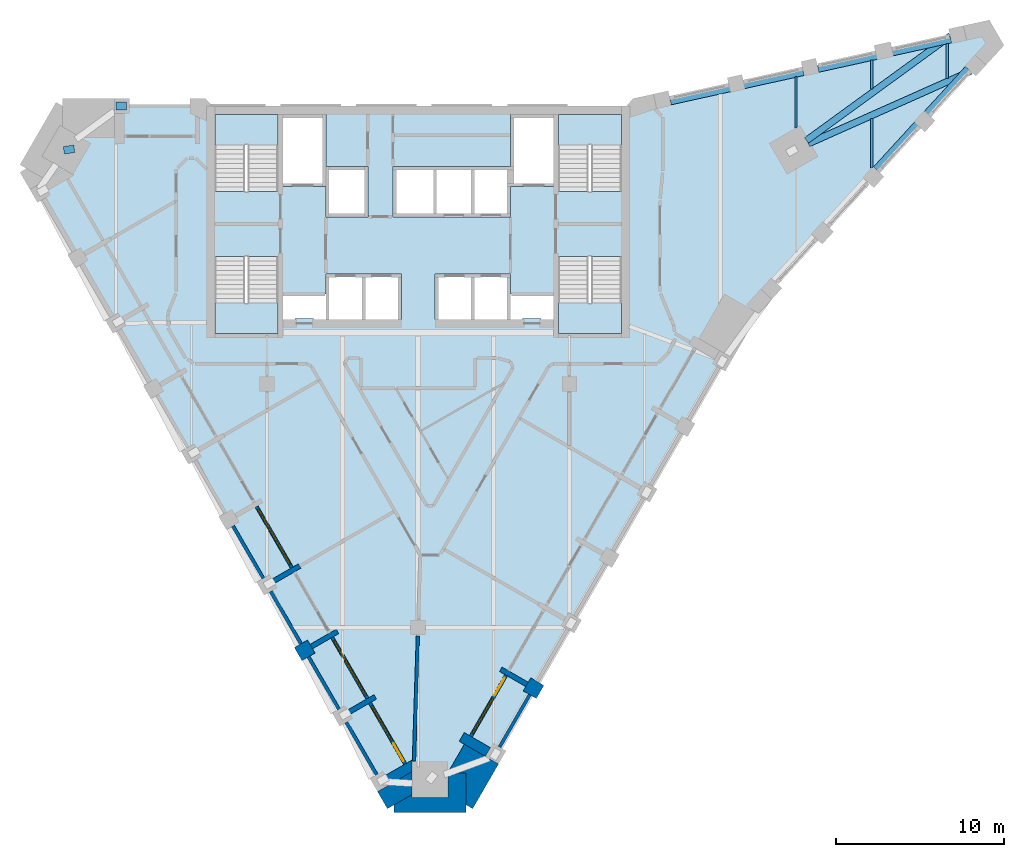
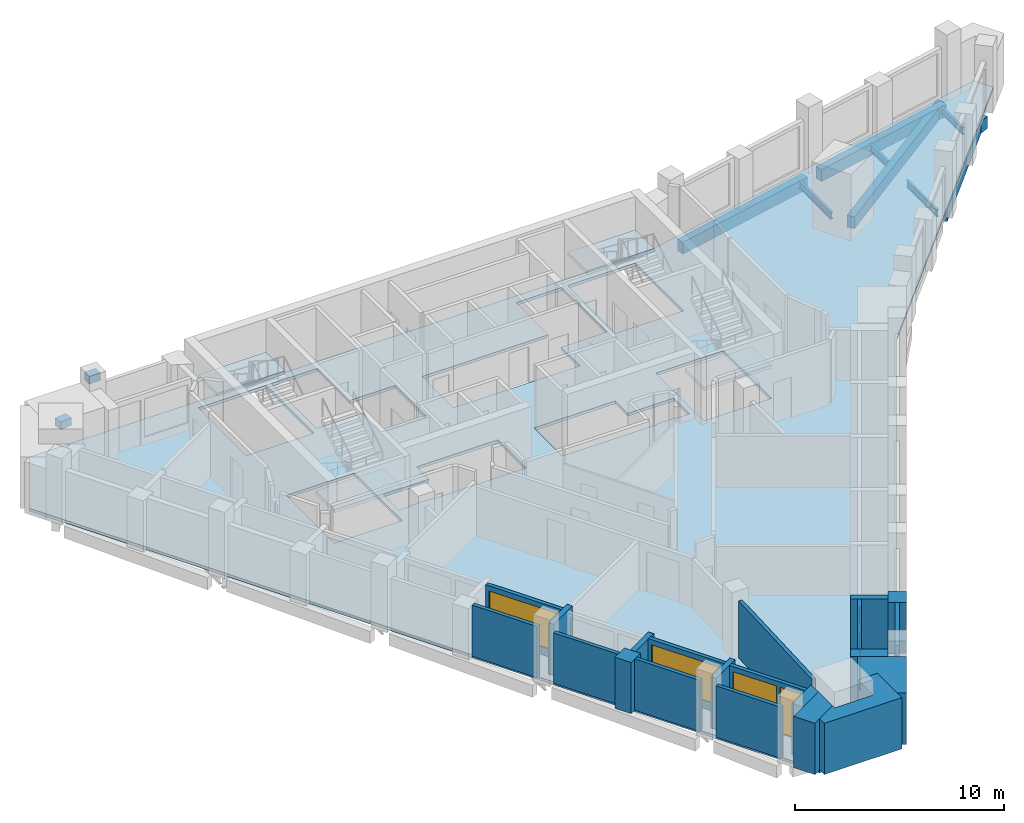
# One storey, part 2 of 9: 21 walls, 11 beams, 5 slabs, 4 windows, 2 doors, 6 openings, 4 elements without a shape of their own.
"""IFC4 building model written with IfcOpenShell, lengths in metres."""

from ifc_helpers import new_model, si_unit, direction, frame, frame_2d, origin, origin_2d, place, context, subcontext, project, spatial, polyline, rectangle, i_section, outline, extrude, material, layer, layer_set, material_profile, profile_set, type_object, element, fill, aggregate, save


model = new_model("IFC4")

# Units and contexts
model_context = context("Model", 3, precision=1e-05, world=origin(), true_north=direction((0.0, 1.0)))
body_context = subcontext(model_context, "Body", "Model", "MODEL_VIEW")
ifc_project = project(units=[si_unit("LENGTHUNIT", "METRE"), si_unit("AREAUNIT", "SQUARE_METRE"), si_unit("VOLUMEUNIT", "CUBIC_METRE"), si_unit("PLANEANGLEUNIT", "RADIAN"), si_unit("MASSUNIT", "GRAM", prefix="KILO")], contexts=[model_context])

# Site, building, storey
site_placement = place(None, origin())
site = spatial("IfcSite", under=ifc_project, at=site_placement, CompositionType="ELEMENT")
building_placement = place(site_placement, origin())
building = spatial("IfcBuilding", under=site, at=building_placement, Name="Calabash Gate Tower", CompositionType="ELEMENT")
storey_placement = place(building_placement, frame((0.0, 0.0, 283.300048828125)))
storey = spatial("IfcBuildingStorey", under=building, at=storey_placement, Name="L68", CompositionType="ELEMENT", Elevation=283.300048828125)

# Beams
ifc_material_1 = material(Name="Concrete C80/95", Category="concrete")
ifc_material_profile_1 = material_profile(ifc_material_1, rectangle(XDim=0.449951171875, YDim=0.449951171875, at=origin_2d()))
ifc_profile_set_1 = profile_set([ifc_material_profile_1], Name="Concrete C80/95")
beam_type_1 = type_object("IfcBeamType", Name="Column offset link RC 450x450 Concrete C80/95", PredefinedType="BEAM", material=ifc_profile_set_1)
beam_1_placement = place(storey_placement, frame((-21.10009765625, 16.4169921875, 3.50390625), z_axis=(0.989739311723, 0.142884900636, 0.0), x_axis=(-0.142884900636, 0.989739311723, 0.0)))
element("IfcBeam", 1, at=beam_1_placement, inside=storey, type_object=beam_type_1, Name="Column offset link L68 NW", PredefinedType="BEAM", context=body_context, shape_type="SweptSolid", body=[
    extrude(rectangle(XDim=0.449951171875, YDim=0.449951171875, at=origin_2d()), origin(), (0.0, 0.0, 1.0), 0.63037109375),
])
beam_2_placement = place(storey_placement, frame((-17.99609375, 19.052978515625, 3.50390625), z_axis=(1.0, 0.0, 0.0), x_axis=(0.0, 1.0, 0.0)))
element("IfcBeam", 2, at=beam_2_placement, inside=storey, type_object=beam_type_1, Name="Column offset link L68 P31", PredefinedType="BEAM", context=body_context, shape_type="SweptSolid", body=[
    extrude(rectangle(XDim=0.449951171875, YDim=0.449951171875, at=origin_2d()), origin(), (0.0, 0.0, 1.0), 0.630126953125),
])
ifc_material_2 = material(Name="Concrete C50/60", Category="concrete")
ifc_material_profile_2 = material_profile(ifc_material_2, rectangle(XDim=0.39990234375, YDim=0.699951171875, at=origin_2d()))
ifc_profile_set_2 = profile_set([ifc_material_profile_2], Name="Concrete C50/60")
beam_type_2 = type_object("IfcBeamType", Name="Edge beam RC 400x700 Concrete C50/60", PredefinedType="BEAM", material=ifc_profile_set_2)
beam_3_placement = place(storey_placement, frame((27.260009765625, 15.29296875, -0.52001953125), z_axis=(0.67486440312, 0.737941757459, 0.0), x_axis=(-0.737941757459, 0.67486440312, 0.0)))
element("IfcBeam", 3, at=beam_3_placement, inside=storey, type_object=beam_type_2, Name="Edge beam L68 11", PredefinedType="BEAM", context=body_context, shape_type="SweptSolid", body=[
    extrude(rectangle(XDim=0.39990234375, YDim=0.699951171875, at=origin_2d()), origin(), (0.0, 0.0, 1.0), 8.100830078125),
])
beam_4_placement = place(storey_placement, frame((32.90087890625, 21.1259765625, -0.52001953125), z_axis=(-0.913459431006, -0.406929807099, 0.0), x_axis=(0.406929807099, -0.913459431006, 0.0)))
element("IfcBeam", 4, at=beam_4_placement, inside=storey, type_object=beam_type_2, Name="Edge beam L68 12", PredefinedType="BEAM", context=body_context, shape_type="SweptSolid", body=[
    extrude(rectangle(XDim=0.39990234375, YDim=0.699951171875, at=origin_2d()), origin(), (0.0, 0.0, 1.0), 10.58935546875),
])
beam_5_placement = place(storey_placement, frame((23.123046875, 16.9990234375, -0.52001953125), z_axis=(0.808643536425, 0.588298929965, 0.0), x_axis=(-0.588298929965, 0.808643536425, 0.0)))
element("IfcBeam", 5, at=beam_5_placement, inside=storey, type_object=beam_type_2, Name="Edge beam L68 13", PredefinedType="BEAM", context=body_context, shape_type="SweptSolid", body=[
    extrude(rectangle(XDim=0.39990234375, YDim=0.699951171875, at=origin_2d()), origin(), (0.0, 0.0, 1.0), 10.610107421875),
])
beam_6_placement = place(storey_placement, frame((31.72705078125, 23.006103515625, -0.52001953125), z_axis=(-0.976492437334, -0.215551663945, 0.0), x_axis=(0.215551663945, -0.976492437334, 0.0)))
element("IfcBeam", 6, at=beam_6_placement, inside=storey, type_object=beam_type_2, Name="Edge beam L68 14", PredefinedType="BEAM", context=body_context, shape_type="SweptSolid", body=[
    extrude(rectangle(XDim=0.39990234375, YDim=0.699951171875, at=origin_2d()), origin(), (0.0, 0.0, 1.0), 8.1005859375),
])
beam_7_placement = place(storey_placement, frame((22.93603515625, 21.06591796875, -0.52001953125), z_axis=(-0.976517152373, -0.215439669332, 0.0), x_axis=(0.215439669332, -0.976517152373, 0.0)))
element("IfcBeam", 7, at=beam_7_placement, inside=storey, type_object=beam_type_2, Name="Edge beam L68 15", PredefinedType="BEAM", context=body_context, shape_type="SweptSolid", body=[
    extrude(rectangle(XDim=0.39990234375, YDim=0.699951171875, at=origin_2d()), origin(), (0.0, 0.0, 1.0), 8.09912109375),
])
ifc_material_3 = material(Name="Steel ASTM A992 Gr50", Category="steel")
ifc_material_profile_3 = material_profile(ifc_material_3, i_section(OverallWidth=0.1396484375, OverallDepth=0.398681640625, WebThickness=0.00634765625, FlangeThickness=0.0087890625, FilletRadius=0.01025390625, at=origin_2d()))
ifc_profile_set_3 = profile_set([ifc_material_profile_3], Name="Steel ASTM A992 Gr50")
beam_type_3 = type_object("IfcBeamType", Name="Floor beam W16x26 ASTM A992 Gr50", PredefinedType="BEAM", material=ifc_profile_set_3)
beam_8_placement = place(storey_placement, frame((22.5, 17.73193359375, -0.369140625), z_axis=(0.0, 1.0, 0.0), x_axis=(-1.0, 0.0, 0.0)))
element("IfcBeam", 8, at=beam_8_placement, inside=storey, type_object=beam_type_3, Name="Floor beam L68 16", PredefinedType="BEAM", context=body_context, shape_type="SweptSolid", body=[
    extrude(i_section(OverallWidth=0.1396484375, OverallDepth=0.398681640625, WebThickness=0.00634765625, FlangeThickness=0.0087890625, FilletRadius=0.01025390625, at=origin_2d()), origin(), (0.0, 0.0, 1.0), 3.065185546875),
])
beam_9_placement = place(storey_placement, frame((27.0, 15.35693359375, -0.369140625), z_axis=(0.0, 1.0, 0.0), x_axis=(-1.0, 0.0, 0.0)))
element("IfcBeam", 9, at=beam_9_placement, inside=storey, type_object=beam_type_3, Name="Floor beam L68 17", PredefinedType="BEAM", context=body_context, shape_type="SweptSolid", body=[
    extrude(i_section(OverallWidth=0.1396484375, OverallDepth=0.398681640625, WebThickness=0.00634765625, FlangeThickness=0.0087890625, FilletRadius=0.01025390625, at=origin_2d()), origin(), (0.0, 0.0, 1.0), 2.943115234375),
])
beam_10_placement = place(storey_placement, frame((27.0, 20.053955078125, -0.369140625), z_axis=(0.0, 1.0, 0.0), x_axis=(-1.0, 0.0, 0.0)))
element("IfcBeam", 10, at=beam_10_placement, inside=storey, type_object=beam_type_3, Name="Floor beam L68 18", PredefinedType="BEAM", context=body_context, shape_type="SweptSolid", body=[
    extrude(i_section(OverallWidth=0.1396484375, OverallDepth=0.398681640625, WebThickness=0.00634765625, FlangeThickness=0.0087890625, FilletRadius=0.01025390625, at=origin_2d()), origin(), (0.0, 0.0, 1.0), 1.736083984375),
])
beam_11_placement = place(storey_placement, frame((31.5, 20.697998046875, -0.369140625), z_axis=(0.0, 1.0, 0.0), x_axis=(-1.0, 0.0, 0.0)))
element("IfcBeam", 11, at=beam_11_placement, inside=storey, type_object=beam_type_3, Name="Floor beam L68 19", PredefinedType="BEAM", context=body_context, shape_type="SweptSolid", body=[
    extrude(i_section(OverallWidth=0.1396484375, OverallDepth=0.398681640625, WebThickness=0.00634765625, FlangeThickness=0.0087890625, FilletRadius=0.01025390625, at=origin_2d()), origin(), (0.0, 0.0, 1.0), 2.0849609375),
])

# Slab
ifc_material_4 = material(Name="Concrete C40/50", Category="concrete")
ifc_layer_1 = layer(ifc_material_4, 0.169921875)
ifc_layer_set_1 = layer_set([ifc_layer_1], Name="Composite floor slab 170 Concrete C40/50")
slab_type_1 = type_object("IfcSlabType", Name="Composite floor slab 170 Concrete C40/50", PredefinedType="FLOOR", material=ifc_layer_set_1)
slab_1_placement = place(storey_placement, frame((0.0, 0.0, -0.170166015625)))
element("IfcSlab", 12, at=slab_1_placement, inside=storey, type_object=slab_type_1, Name="Floor slab L68", PredefinedType="FLOOR", context=body_context, shape_type="SweptSolid", body=[
    extrude(outline(polyline([(-23.3173828125, 15.3310546875), (-21.168701171875, 19.052490234375), (12.88134765625, 19.052490234375), (33.783935546875, 23.664794921875), (34.326904296875, 22.724365234375), (19.88134765625, 6.92822265625), (2.8564453125, -22.56005859375), (-1.44091796875, -22.56005859375), (-23.3173828125, 15.3310546875)]), holes=[polyline([(-1.0, 9.052490234375), (-3.25, 9.052490234375), (-5.5, 9.052490234375), (-5.5, 7.8525390625), (-8.050048828125, 7.8525390625), (-8.050048828125, 6.3525390625), (-7.324951171875, 6.3525390625), (-7.324951171875, 6.402587890625), (-6.22509765625, 6.402587890625), (-6.22509765625, 6.3525390625), (-5.5, 6.3525390625), (-3.25, 6.3525390625), (-1.0, 6.3525390625), (-1.0, 9.052490234375)]), polyline([(3.25, 6.3525390625), (5.5, 6.3525390625), (6.22509765625, 6.3525390625), (6.22509765625, 6.402587890625), (7.324951171875, 6.402587890625), (7.324951171875, 6.3525390625), (8.050048828125, 6.3525390625), (8.050048828125, 7.8525390625), (5.5, 7.8525390625), (5.5, 9.052490234375), (3.25, 9.052490234375), (1.0, 9.052490234375), (1.0, 6.3525390625), (3.25, 6.3525390625)]), polyline([(-5.5, 14.252685546875), (-5.5, 12.45263671875), (-3.0, 12.45263671875), (-3.0, 15.45263671875), (-5.5, 15.45263671875), (-5.5, 18.552490234375), (-8.050048828125, 18.552490234375), (-8.050048828125, 14.252685546875), (-5.5, 14.252685546875)]), polyline([(1.0, 15.45263671875), (-1.5, 15.45263671875), (-1.5, 12.45263671875), (1.0, 12.45263671875), (3.25, 12.45263671875), (5.5, 12.45263671875), (5.5, 14.252685546875), (8.050048828125, 14.252685546875), (8.050048828125, 18.552490234375), (5.5, 18.552490234375), (5.5, 15.45263671875), (3.25, 15.45263671875), (1.0, 15.45263671875)]), polyline([(-8.35009765625, 18.552490234375), (-12.10009765625, 18.552490234375), (-12.10009765625, 13.95263671875), (-8.35009765625, 13.95263671875), (-8.35009765625, 18.552490234375)]), polyline([(-12.10009765625, 10.1025390625), (-12.10009765625, 5.502685546875), (-8.35009765625, 5.502685546875), (-8.35009765625, 10.1025390625), (-12.10009765625, 10.1025390625)]), polyline([(8.35009765625, 13.95263671875), (12.10009765625, 13.95263671875), (12.10009765625, 18.552490234375), (8.35009765625, 18.552490234375), (8.35009765625, 13.95263671875)]), polyline([(12.10009765625, 5.502685546875), (12.10009765625, 10.1025390625), (8.35009765625, 10.1025390625), (8.35009765625, 5.502685546875), (12.10009765625, 5.502685546875)])]), origin(), (0.0, 0.0, 1.0), 0.170166015625),
])

# Stair, slab
ifc_material_5 = material(Name="Concrete C40/50", Category="concrete")
stair_type = type_object("IfcStairType", Name="Exit stair 22 risers of 177.3 mm", PredefinedType="HALF_TURN_STAIR", material=ifc_material_5)
stair_1_placement = place(storey_placement, origin())
stair_1 = element("IfcStair", 13, at=stair_1_placement, inside=storey, type_object=stair_type, Name="L68 Exit stair ST1", PredefinedType="HALF_TURN_STAIR")
ifc_material_6 = material(Name="Concrete C40/50", Category="concrete")
ifc_layer_2 = layer(ifc_material_6, 0.199951171875)
ifc_layer_set_2 = layer_set([ifc_layer_2], Name="Stair landing SL200")
slab_type_2 = type_object("IfcSlabType", Name="Stair landing SL200", PredefinedType="LANDING", material=ifc_layer_set_2)
slab_2_placement = place(storey_placement, frame((0.0, 0.0, 1.75)))
slab_2 = element("IfcSlab", 14, at=slab_2_placement, type_object=slab_type_2, Name="ST1 landing 1", PredefinedType="LANDING", context=body_context, shape_type="SweptSolid", body=[
    extrude(outline(polyline([(-8.35009765625, 16.74267578125), (-8.35009765625, 18.552490234375), (-12.10009765625, 18.552490234375), (-12.10009765625, 16.74267578125), (-8.35009765625, 16.74267578125)])), origin(), (0.0, 0.0, 1.0), 0.199951171875),
])
aggregate(stair_1, [slab_2])

stair_2_placement = place(storey_placement, origin())
stair_2 = element("IfcStair", 15, at=stair_2_placement, inside=storey, type_object=stair_type, Name="L68 Exit stair ST2", PredefinedType="HALF_TURN_STAIR")
slab_3_placement = place(storey_placement, frame((0.0, 0.0, 1.75)))
slab_3 = element("IfcSlab", 16, at=slab_3_placement, type_object=slab_type_2, Name="ST2 landing 1", PredefinedType="LANDING", context=body_context, shape_type="SweptSolid", body=[
    extrude(outline(polyline([(-12.10009765625, 7.3125), (-12.10009765625, 5.502685546875), (-8.35009765625, 5.502685546875), (-8.35009765625, 7.3125), (-12.10009765625, 7.3125)])), origin(), (0.0, 0.0, 1.0), 0.199951171875),
])
aggregate(stair_2, [slab_3])

stair_3_placement = place(storey_placement, origin())
stair_3 = element("IfcStair", 17, at=stair_3_placement, inside=storey, type_object=stair_type, Name="L68 Exit stair ST3", PredefinedType="HALF_TURN_STAIR")
slab_4_placement = place(storey_placement, frame((0.0, 0.0, 1.75)))
slab_4 = element("IfcSlab", 18, at=slab_4_placement, type_object=slab_type_2, Name="ST3 landing 1", PredefinedType="LANDING", context=body_context, shape_type="SweptSolid", body=[
    extrude(outline(polyline([(12.10009765625, 16.74267578125), (12.10009765625, 18.552490234375), (8.35009765625, 18.552490234375), (8.35009765625, 16.74267578125), (12.10009765625, 16.74267578125)])), origin(), (0.0, 0.0, 1.0), 0.199951171875),
])
aggregate(stair_3, [slab_4])

stair_4_placement = place(storey_placement, origin())
stair_4 = element("IfcStair", 19, at=stair_4_placement, inside=storey, type_object=stair_type, Name="L68 Exit stair ST4", PredefinedType="HALF_TURN_STAIR")
slab_5_placement = place(storey_placement, frame((0.0, 0.0, 1.75)))
slab_5 = element("IfcSlab", 20, at=slab_5_placement, type_object=slab_type_2, Name="ST4 landing 1", PredefinedType="LANDING", context=body_context, shape_type="SweptSolid", body=[
    extrude(outline(polyline([(8.35009765625, 7.3125), (8.35009765625, 5.502685546875), (12.10009765625, 5.502685546875), (12.10009765625, 7.3125), (8.35009765625, 7.3125)])), origin(), (0.0, 0.0, 1.0), 0.199951171875),
])
aggregate(stair_4, [slab_5])

# Walls
ifc_material_7 = material(Name="Terracotta brick masonry, exposed face", Category="masonry")
ifc_layer_3 = layer(ifc_material_7, 2.35009765625)
ifc_layer_set_3 = layer_set([ifc_layer_3], Name="Brick corner mass wall 2350")
wall_type_1 = type_object("IfcWallType", Name="Brick corner mass wall 2350", PredefinedType="SOLIDWALL", material=ifc_layer_set_3)
wall_1_placement = place(storey_placement, origin())
element("IfcWall", 21, at=wall_1_placement, inside=storey, type_object=wall_type_1, Name="Brick corner pier S20 1a", PredefinedType="SOLIDWALL", context=body_context, shape_type="SweptSolid", body=[
    extrude(outline(polyline([(-0.366943359375, -20.6201171875), (-0.383544921875, -20.59130859375), (-1.639404296875, -21.31640625), (-1.639404296875, -21.316650390625), (-2.41845703125, -21.7666015625), (-1.83056640625, -22.78515625), (-0.366943359375, -21.940185546875), (-0.366943359375, -20.6201171875)])), origin(), (0.0, 0.0, 1.0), 3.0),
])
wall_2_placement = place(storey_placement, origin())
element("IfcWall", 22, at=wall_2_placement, inside=storey, type_object=wall_type_1, Name="Brick corner pier S20 1b", PredefinedType="SOLIDWALL", context=body_context, shape_type="SweptSolid", body=[
    extrude(outline(polyline([(-0.366943359375, -22.131103515625), (-0.366943359375, -21.940185546875), (-1.44091796875, -22.56005859375), (-1.44091796875, -23.010009765625), (2.8564453125, -23.010009765625), (2.8564453125, -20.66015625), (1.782958984375, -20.66015625), (1.782958984375, -22.131103515625), (-0.366943359375, -22.131103515625)])), origin(), (0.0, 0.0, 1.0), 3.0),
])
wall_3_placement = place(storey_placement, origin())
element("IfcWall", 23, at=wall_3_placement, inside=storey, type_object=wall_type_1, Name="Brick corner pier S20 1c", PredefinedType="SOLIDWALL", context=body_context, shape_type="SweptSolid", body=[
    extrude(outline(polyline([(1.782958984375, -20.619140625), (1.782958984375, -20.66015625), (2.8564453125, -20.66015625), (2.8564453125, -22.56005859375), (3.24609375, -22.78515625), (4.78369140625, -20.1220703125), (2.74853515625, -18.947021484375), (1.782958984375, -20.619140625)])), origin(), (0.0, 0.0, 1.0), 3.0),
])
ifc_material_8 = material(Name="Terracotta brick masonry, exposed face", Category="masonry")
ifc_layer_4 = layer(ifc_material_8, 0.89990234375)
ifc_layer_set_4 = layer_set([ifc_layer_4], Name="Brick end wall 900")
wall_type_2 = type_object("IfcWallType", Name="Brick end wall 900", PredefinedType="SOLIDWALL", material=ifc_layer_set_4)
wall_4_placement = place(storey_placement, frame((-7.143798828125, -13.582275390625, 0.0), z_axis=(0.0, 0.0, 1.0), x_axis=(0.866081705922, 0.499902469156, 0.0)))
element("IfcWall", 24, at=wall_4_placement, inside=storey, type_object=wall_type_2, Name="Brick pier S20 SW0.7", PredefinedType="SOLIDWALL", context=body_context, shape_type="SweptSolid", body=[
    extrude(rectangle(XDim=0.900146484375, YDim=0.89990234375, at=frame_2d((0.4501953125, 0.0))), origin(), (0.0, 0.0, 1.0), 3.0),
])
wall_5_placement = place(storey_placement, frame((6.479248046875, -15.38525390625, 0.0), z_axis=(0.0, 0.0, 1.0), x_axis=(0.866013897511, -0.50001992892, 0.0)))
element("IfcWall", 25, at=wall_5_placement, inside=storey, type_object=wall_type_2, Name="Brick pier S20 SE2.1", PredefinedType="SOLIDWALL", context=body_context, shape_type="SweptSolid", body=[
    extrude(rectangle(XDim=0.89990234375, YDim=0.89990234375, at=frame_2d((0.449951171875, 0.0))), origin(), (0.0, 0.0, 1.0), 3.0),
])
ifc_material_9 = material(Name="Terracotta brick masonry, exposed face", Category="masonry")
ifc_layer_5 = layer(ifc_material_9, 0.300048828125)
ifc_layer_set_5 = layer_set([ifc_layer_5], Name="Brick loggia cheek wall 300")
wall_type_3 = type_object("IfcWallType", Name="Brick loggia cheek wall 300", PredefinedType="SOLIDWALL", material=ifc_layer_set_5)
wall_6_placement = place(storey_placement, frame((-8.6142578125, -9.235107421875, 0.0), z_axis=(0.0, 0.0, 1.0), x_axis=(0.866047807691, 0.499961193289, 0.0)))
element("IfcWall", 26, at=wall_6_placement, inside=storey, type_object=wall_type_3, Name="Loggia cheek S20 SW0.6", PredefinedType="SOLIDWALL", context=body_context, shape_type="SweptSolid", body=[
    extrude(rectangle(XDim=1.800048828125, YDim=0.300048828125, at=frame_2d((0.89990234375, 0.0))), origin(), (0.0, 0.0, 1.0), 3.0),
])
wall_7_placement = place(storey_placement, frame((-6.3642578125, -13.13232421875, 0.0), z_axis=(0.0, 0.0, 1.0), x_axis=(0.866047807691, 0.499961193289, 0.0)))
element("IfcWall", 27, at=wall_7_placement, inside=storey, type_object=wall_type_3, Name="Loggia cheek S20 SW0.7", PredefinedType="SOLIDWALL", context=body_context, shape_type="SweptSolid", body=[
    extrude(rectangle(XDim=1.800048828125, YDim=0.300048828125, at=frame_2d((0.89990234375, 0.0))), origin(), (0.0, 0.0, 1.0), 2.949951171875),
])
wall_8_placement = place(storey_placement, frame((-4.114013671875, -17.029296875, 0.0), z_axis=(0.0, 0.0, 1.0), x_axis=(0.866013897511, 0.50001992892, 0.0)))
element("IfcWall", 28, at=wall_8_placement, inside=storey, type_object=wall_type_3, Name="Loggia cheek S20 SW0.8", PredefinedType="SOLIDWALL", context=body_context, shape_type="SweptSolid", body=[
    extrude(rectangle(XDim=1.7998046875, YDim=0.300048828125, at=frame_2d((0.89990234375, 0.0))), origin(), (0.0, 0.0, 1.0), 3.0),
])
wall_9_placement = place(storey_placement, origin())
element("IfcWall", 29, at=wall_9_placement, inside=storey, type_object=wall_type_3, Name="Loggia cheek S20 SW0.9", PredefinedType="SOLIDWALL", context=body_context, shape_type="SweptSolid", body=[
    extrude(outline(polyline([(-1.639404296875, -21.316162109375), (-0.366943359375, -20.58154296875), (-0.366943359375, -19.98095703125), (-0.331787109375, -19.98095703125), (-0.380615234375, -19.896728515625), (-1.939453125, -20.796630859375), (-1.639404296875, -21.316162109375)])), origin(), (0.0, 0.0, 1.0), 3.0),
])
wall_10_placement = place(storey_placement, frame((4.154296875, -19.412109375, 0.0), z_axis=(0.0, 0.0, 1.0), x_axis=(-0.866047807691, 0.499961193289, 0.0)))
element("IfcWall", 30, at=wall_10_placement, inside=storey, type_object=wall_type_3, Name="Loggia cheek S20 SE2.0", PredefinedType="SOLIDWALL", context=body_context, shape_type="SweptSolid", body=[
    extrude(rectangle(XDim=1.800048828125, YDim=0.60009765625, at=frame_2d((0.89990234375, 0.0))), origin(), (0.0, 0.0, 1.0), 3.0),
])
wall_11_placement = place(storey_placement, frame((6.479248046875, -15.38525390625, 0.0), z_axis=(0.0, 0.0, 1.0), x_axis=(-0.865989075817, 0.500062916607, 0.0)))
element("IfcWall", 31, at=wall_11_placement, inside=storey, type_object=wall_type_3, Name="Loggia cheek S20 SE2.1", PredefinedType="SOLIDWALL", context=body_context, shape_type="SweptSolid", body=[
    extrude(rectangle(XDim=1.800048828125, YDim=0.300048828125, at=frame_2d((0.89990234375, 0.0))), origin(), (0.0, 0.0, 1.0), 3.0),
])
ifc_material_10 = material(Name="Gypsum board on steel studs, mineral wool", Category="steel")
ifc_layer_6 = layer(ifc_material_10, 0.199951171875)
ifc_layer_set_6 = layer_set([ifc_layer_6], Name="Partition 200 gypsum board EI 60")
wall_type_4 = type_object("IfcWallType", Name="Partition 200 gypsum board EI 60", PredefinedType="PARTITIONING", material=ifc_layer_set_6)
wall_12_placement = place(storey_placement, frame((-0.251708984375, -19.951904296875, 0.0), z_axis=(0.0, 0.0, 1.0), x_axis=(0.031599714418, 0.999500604326, 0.0)))
element("IfcWall", 32, at=wall_12_placement, inside=storey, type_object=wall_type_4, Name="Partition", PredefinedType="PARTITIONING", context=body_context, shape_type="SweptSolid", body=[
    extrude(rectangle(XDim=7.45556640625, YDim=0.199951171875, at=frame_2d((3.727783203125, 0.0))), origin(), (0.0, 0.0, 1.0), 3.33154296875),
])
ifc_material_11 = material(Name="Terracotta brick masonry, perforated", Category="masonry")
ifc_layer_7 = layer(ifc_material_11, 0.199951171875)
ifc_layer_set_7 = layer_set([ifc_layer_7], Name="Terracotta jaali screen B")
wall_type_5 = type_object("IfcWallType", Name="Terracotta jaali screen B", PredefinedType="SOLIDWALL", material=ifc_layer_set_7)
wall_13_placement = place(storey_placement, frame((-11.029052734375, -5.952880859375, 0.0), z_axis=(0.0, 0.0, 1.0), x_axis=(0.500012057535, -0.866018442252, 0.0)))
element("IfcWall", 33, at=wall_13_placement, inside=storey, type_object=wall_type_5, Name="SCREEN B S20 SW0.6", PredefinedType="SOLIDWALL", context=body_context, shape_type="SweptSolid", body=[
    extrude(rectangle(XDim=3.60009765625, YDim=0.199951171875, at=frame_2d((1.800048828125, 0.0))), origin(), (0.0, 0.0, 1.0), 3.0),
])
wall_14_placement = place(storey_placement, frame((-8.779052734375, -9.849853515625, 0.0), z_axis=(0.0, 0.0, 1.0), x_axis=(0.500012057535, -0.866018442252, 0.0)))
element("IfcWall", 34, at=wall_14_placement, inside=storey, type_object=wall_type_5, Name="SCREEN B S20 SW0.7", PredefinedType="SOLIDWALL", context=body_context, shape_type="SweptSolid", body=[
    extrude(rectangle(XDim=3.60009765625, YDim=0.199951171875, at=frame_2d((1.800048828125, 0.0))), origin(), (0.0, 0.0, 1.0), 2.949951171875),
])
for number, where, z_axis, x_axis, name in (
    (35, (-6.529052734375, -13.7470703125, 0.0), (0.0, 0.0, 1.0), (0.500012057535, -0.866018442252, 0.0), "SCREEN B S20 SW0.8"),
    (36, (-4.279052734375, -17.64404296875, 0.0), (0.0, 0.0, 1.0), (0.500012057535, -0.866018442252, 0.0), "SCREEN B S20 SW0.9"),
    (37, (4.843994140625, -19.11767578125, 0.0), (0.0, 0.0, 1.0), (0.500012057535, 0.866018442252, 0.0), "SCREEN B S20 SE2.1"),
):
    element("IfcWall", number, at=place(storey_placement, frame(where, z_axis=z_axis, x_axis=x_axis)), inside=storey, type_object=wall_type_5, Name=name, PredefinedType="SOLIDWALL", context=body_context, shape_type="SweptSolid", body=[
        extrude(rectangle(XDim=3.60009765625, YDim=0.199951171875, at=frame_2d((1.800048828125, 0.0))), origin(), (0.0, 0.0, 1.0), 3.0),
    ])

# Wall, opening, window
ifc_material_12 = material(Name="Aluminium framed window wall with insulated spandrel", Category="aluminium")
ifc_layer_8 = layer(ifc_material_12, 0.199951171875)
ifc_layer_set_8 = layer_set([ifc_layer_8], Name="Window wall 200")
wall_type_6 = type_object("IfcWallType", Name="Window wall 200", PredefinedType="ELEMENTEDWALL", material=ifc_layer_set_8)
wall_15_placement = place(storey_placement, frame((-9.6201171875, -4.79296875, 0.0), z_axis=(0.0, 0.0, 1.0), x_axis=(0.49998411664, -0.866034573852, 0.0)))
wall_15 = element("IfcWall", 38, at=wall_15_placement, inside=storey, type_object=wall_type_6, Name="Window wall S20 SW0.6", PredefinedType="ELEMENTEDWALL", context=body_context, shape_type="SweptSolid", body=[
    extrude(rectangle(XDim=4.199951171875, YDim=0.199951171875, at=frame_2d((2.10009765625, 0.0))), origin(), (0.0, 0.0, 1.0), 3.0),
])
opening_1_placement = place(wall_15_placement, frame((0.199951171875, 0.0, 0.449951171875)))
opening_1 = element("IfcOpeningElement", 39, at=opening_1_placement, cuts=wall_15, Name="Opening OW2", PredefinedType="OPENING", context=body_context, shape_type="SweptSolid", body=[
    extrude(rectangle(XDim=3.800048828125, YDim=2.25, at=frame_2d((1.89990234375, 1.125))), frame((0.0, 0.10986328125, 0.0), z_axis=(0.0, -1.0, 0.0), x_axis=(1.0, 0.0, 0.0)), (0.0, 0.0, 1.0), 0.219970703125),
])
ifc_material_13 = material(Name="Anodised aluminium frame, bronze finish, impact-rated laminated clear glazing", Category="aluminium")
window_type_1 = type_object("IfcWindowType", Name="Window OW2 3800x2250", PartitioningType="TRIPLE_PANEL_VERTICAL", PredefinedType="WINDOW", material=ifc_material_13)
window_1_placement = place(opening_1_placement, origin())
window_1 = element("IfcWindow", 40, at=window_1_placement, inside=storey, type_object=window_type_1, Name="Window OW2 S20 SW0.6", OverallHeight=2.25, OverallWidth=3.800048828125, PartitioningType="SINGLE_PANEL", PredefinedType="WINDOW", context=body_context, shape_type="SweptSolid", body=[
    extrude(rectangle(XDim=3.800048828125, YDim=2.25, at=frame_2d((1.89990234375, 1.125))), frame((0.0, 0.030029296875, 0.0), z_axis=(0.0, -1.0, 0.0), x_axis=(1.0, 0.0, 0.0)), (0.0, 0.0, 1.0), 0.06005859375),
])
fill(opening_1, window_1)

wall_16_placement = place(storey_placement, frame((-5.1201171875, -12.587158203125, 0.0), z_axis=(0.0, 0.0, 1.0), x_axis=(0.499958946799, -0.866049104564, 0.0)))
wall_16 = element("IfcWall", 41, at=wall_16_placement, inside=storey, type_object=wall_type_6, Name="Window wall S20 SW0.8", PredefinedType="ELEMENTEDWALL", context=body_context, shape_type="SweptSolid", body=[
    extrude(rectangle(XDim=4.199951171875, YDim=0.199951171875, at=frame_2d((2.10009765625, 0.0))), origin(), (0.0, 0.0, 1.0), 3.0),
])
opening_2_placement = place(wall_16_placement, frame((0.199951171875, 0.0, 0.449951171875)))
opening_2 = element("IfcOpeningElement", 42, at=opening_2_placement, cuts=wall_16, Name="Opening OW2", PredefinedType="OPENING", context=body_context, shape_type="SweptSolid", body=[
    extrude(rectangle(XDim=3.800048828125, YDim=2.25, at=frame_2d((1.89990234375, 1.125))), frame((0.0, 0.10986328125, 0.0), z_axis=(0.0, -1.0, 0.0), x_axis=(1.0, 0.0, 0.0)), (0.0, 0.0, 1.0), 0.219970703125),
])
window_2_placement = place(opening_2_placement, origin())
window_2 = element("IfcWindow", 43, at=window_2_placement, inside=storey, type_object=window_type_1, Name="Window OW2 S20 SW0.8", OverallHeight=2.25, OverallWidth=3.800048828125, PartitioningType="SINGLE_PANEL", PredefinedType="WINDOW", context=body_context, shape_type="SweptSolid", body=[
    extrude(rectangle(XDim=3.800048828125, YDim=2.25, at=frame_2d((1.89990234375, 1.125))), frame((0.0, 0.030029296875, 0.0), z_axis=(0.0, -1.0, 0.0), x_axis=(1.0, 0.0, 0.0)), (0.0, 0.0, 1.0), 0.06005859375),
])
fill(opening_2, window_2)

# Wall, openings, door, window
wall_17_placement = place(storey_placement, frame((-2.8701171875, -16.484375, 0.0), z_axis=(0.0, 0.0, 1.0), x_axis=(0.49998411664, -0.866034573852, 0.0)))
wall_17 = element("IfcWall", 44, at=wall_17_placement, inside=storey, type_object=wall_type_6, Name="Window wall S20 SW0.9", PredefinedType="ELEMENTEDWALL", context=body_context, shape_type="SweptSolid", body=[
    extrude(rectangle(XDim=4.199951171875, YDim=0.199951171875, at=frame_2d((2.10009765625, 0.0))), origin(), (0.0, 0.0, 1.0), 3.0),
])
opening_3_placement = place(wall_17_placement, frame((0.199951171875, 0.0, 0.449951171875)))
opening_3 = element("IfcOpeningElement", 45, at=opening_3_placement, cuts=wall_17, Name="Opening OW1", PredefinedType="OPENING", context=body_context, shape_type="SweptSolid", body=[
    extrude(rectangle(XDim=2.39990234375, YDim=2.25, at=frame_2d((1.199951171875, 1.125))), frame((0.0, 0.10986328125, 0.0), z_axis=(0.0, -1.0, 0.0), x_axis=(1.0, 0.0, 0.0)), (0.0, 0.0, 1.0), 0.219970703125),
])
opening_4_placement = place(wall_17_placement, frame((2.800048828125, 0.0, 0.0)))
opening_4 = element("IfcOpeningElement", 46, at=opening_4_placement, cuts=wall_17, Name="Opening O12-019", PredefinedType="OPENING", context=body_context, shape_type="SweptSolid", body=[
    extrude(rectangle(XDim=1.199951171875, YDim=2.699951171875, at=frame_2d((0.60009765625, 1.35009765625))), frame((0.0, 0.10986328125, 0.0), z_axis=(0.0, -1.0, 0.0), x_axis=(1.0, 0.0, 0.0)), (0.0, 0.0, 1.0), 0.219970703125),
])
ifc_material_14 = material(Name="Anodised aluminium frame, bronze finish, impact-rated laminated clear glazing", Category="aluminium")
door_type = type_object("IfcDoorType", Name="Loggia door DO1 1200x2700", OperationType="SLIDING_TO_LEFT", PredefinedType="DOOR", material=ifc_material_14)
door_1_placement = place(opening_4_placement, origin())
door_1 = element("IfcDoor", 47, at=door_1_placement, inside=storey, type_object=door_type, Name="Loggia door S20 SW0.9", OperationType="SINGLE_SWING_LEFT", OverallHeight=2.699951171875, OverallWidth=1.199951171875, PredefinedType="DOOR", context=body_context, shape_type="SweptSolid", body=[
    extrude(rectangle(XDim=1.199951171875, YDim=2.699951171875, at=frame_2d((0.60009765625, 1.35009765625))), frame((0.0, 0.02490234375, 0.0), z_axis=(0.0, -1.0, 0.0), x_axis=(1.0, 0.0, 0.0)), (0.0, 0.0, 1.0), 0.050048828125),
])
fill(opening_4, door_1)
ifc_material_15 = material(Name="Anodised aluminium frame, bronze finish, impact-rated laminated clear glazing", Category="aluminium")
window_type_2 = type_object("IfcWindowType", Name="Window OW1 2400x2250", PartitioningType="DOUBLE_PANEL_VERTICAL", PredefinedType="WINDOW", material=ifc_material_15)
window_3_placement = place(opening_3_placement, origin())
window_3 = element("IfcWindow", 48, at=window_3_placement, inside=storey, type_object=window_type_2, Name="Window OW1 S20 SW0.9", OverallHeight=2.25, OverallWidth=2.39990234375, PartitioningType="SINGLE_PANEL", PredefinedType="WINDOW", context=body_context, shape_type="SweptSolid", body=[
    extrude(rectangle(XDim=2.39990234375, YDim=2.25, at=frame_2d((1.199951171875, 1.125))), frame((0.0, 0.030029296875, 0.0), z_axis=(0.0, -1.0, 0.0), x_axis=(1.0, 0.0, 0.0)), (0.0, 0.0, 1.0), 0.06005859375),
])
fill(opening_3, window_3)

wall_18_placement = place(storey_placement, frame((3.135009765625, -18.477294921875, 0.0), z_axis=(0.0, 0.0, 1.0), x_axis=(0.500027713859, 0.866009402589, 0.0)))
wall_18 = element("IfcWall", 49, at=wall_18_placement, inside=storey, type_object=wall_type_6, Name="Window wall S20 SE2.1", PredefinedType="ELEMENTEDWALL", context=body_context, shape_type="SweptSolid", body=[
    extrude(rectangle(XDim=4.199951171875, YDim=0.199951171875, at=frame_2d((2.10009765625, 0.0))), origin(), (0.0, 0.0, 1.0), 3.0),
])
opening_5_placement = place(wall_18_placement, frame((0.199951171875, 0.0, 0.449951171875)))
opening_5 = element("IfcOpeningElement", 50, at=opening_5_placement, cuts=wall_18, Name="Opening OW1", PredefinedType="OPENING", context=body_context, shape_type="SweptSolid", body=[
    extrude(rectangle(XDim=2.39990234375, YDim=2.25, at=frame_2d((1.199951171875, 1.125))), frame((0.0, 0.10986328125, 0.0), z_axis=(0.0, -1.0, 0.0), x_axis=(1.0, 0.0, 0.0)), (0.0, 0.0, 1.0), 0.219970703125),
])
opening_6_placement = place(wall_18_placement, frame((2.800048828125, 0.0, 0.0)))
opening_6 = element("IfcOpeningElement", 51, at=opening_6_placement, cuts=wall_18, Name="Opening O12-014", PredefinedType="OPENING", context=body_context, shape_type="SweptSolid", body=[
    extrude(rectangle(XDim=1.199951171875, YDim=2.699951171875, at=frame_2d((0.60009765625, 1.35009765625))), frame((0.0, 0.10986328125, 0.0), z_axis=(0.0, -1.0, 0.0), x_axis=(1.0, 0.0, 0.0)), (0.0, 0.0, 1.0), 0.219970703125),
])
door_2_placement = place(opening_6_placement, origin())
door_2 = element("IfcDoor", 52, at=door_2_placement, inside=storey, type_object=door_type, Name="Loggia door S20 SE2.1", OperationType="SINGLE_SWING_LEFT", OverallHeight=2.699951171875, OverallWidth=1.199951171875, PredefinedType="DOOR", context=body_context, shape_type="SweptSolid", body=[
    extrude(rectangle(XDim=1.199951171875, YDim=2.699951171875, at=frame_2d((0.60009765625, 1.35009765625))), frame((0.0, 0.02490234375, 0.0), z_axis=(0.0, -1.0, 0.0), x_axis=(1.0, 0.0, 0.0)), (0.0, 0.0, 1.0), 0.050048828125),
])
fill(opening_6, door_2)
window_4_placement = place(opening_5_placement, origin())
window_4 = element("IfcWindow", 53, at=window_4_placement, inside=storey, type_object=window_type_2, Name="Window OW1 S20 SE2.1", OverallHeight=2.25, OverallWidth=2.39990234375, PartitioningType="SINGLE_PANEL", PredefinedType="WINDOW", context=body_context, shape_type="SweptSolid", body=[
    extrude(rectangle(XDim=2.39990234375, YDim=2.25, at=frame_2d((1.199951171875, 1.125))), frame((0.0, 0.030029296875, 0.0), z_axis=(0.0, -1.0, 0.0), x_axis=(1.0, 0.0, 0.0)), (0.0, 0.0, 1.0), 0.06005859375),
])
fill(opening_5, window_4)

save(model, "model.ifc")
